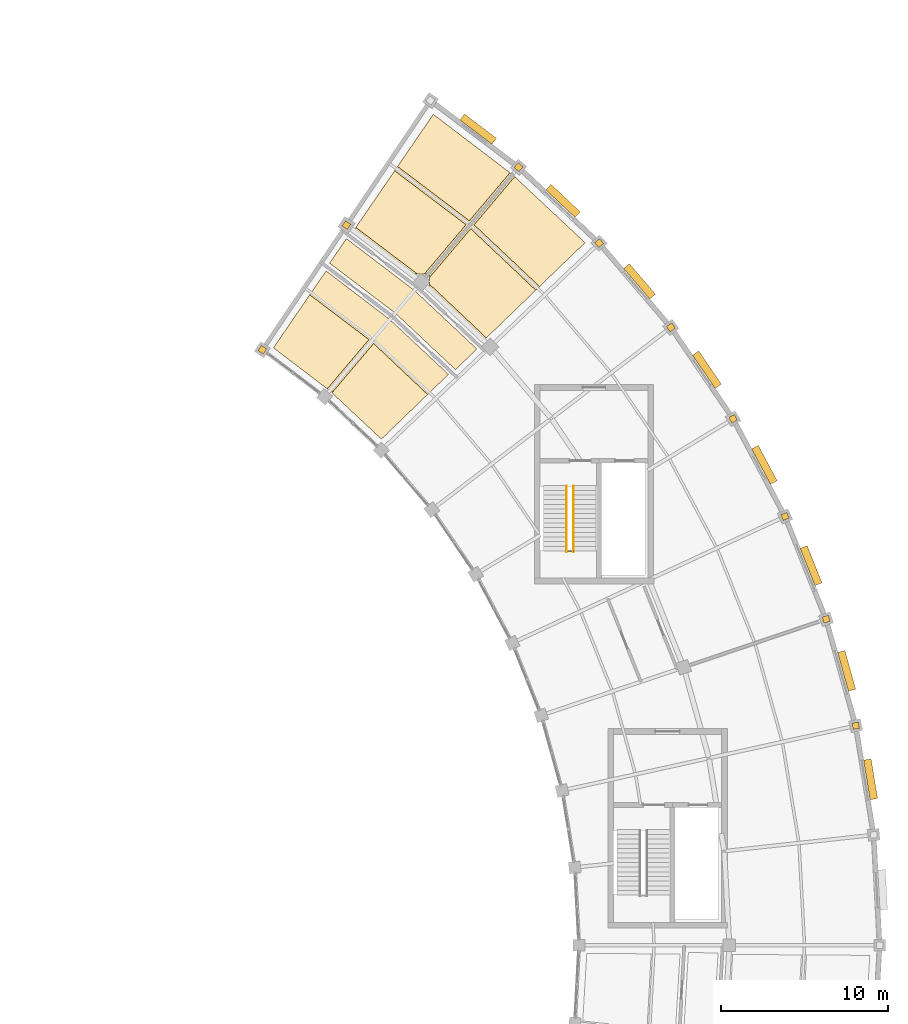
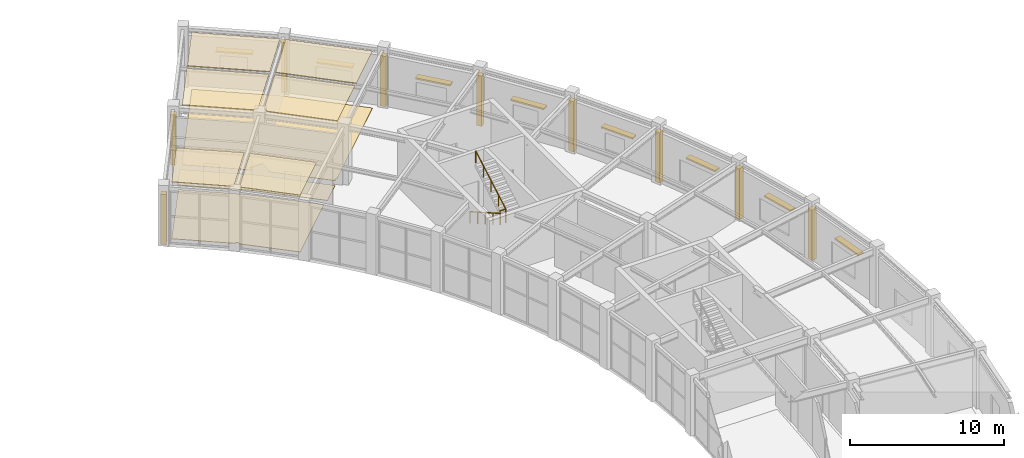
# One storey, part 99 of 100: 18 coverings, 8 shading devices, 3 railings.
"""IFC4 building model written with IfcOpenShell, lengths in metres."""

from ifc_helpers import new_model, si_unit, direction, frame, origin, origin_2d, place, context, subcontext, project, spatial, polyline, rectangle, circle, outline, extrude, material, layer, layer_set, type_object, element, save


model = new_model("IFC4")

# Units and contexts
model_context = context("Model", 3, precision=1e-05, world=origin(), true_north=direction((0.0, 1.0)))
body_context = subcontext(model_context, "Body", "Model", "MODEL_VIEW")
ifc_project = project(units=[si_unit("LENGTHUNIT", "METRE"), si_unit("AREAUNIT", "SQUARE_METRE"), si_unit("VOLUMEUNIT", "CUBIC_METRE"), si_unit("PLANEANGLEUNIT", "RADIAN"), si_unit("MASSUNIT", "GRAM", prefix="KILO")], contexts=[model_context])

# Site, building, storey
site_placement = place(None, origin())
site = spatial("IfcSite", under=ifc_project, at=site_placement, CompositionType="ELEMENT")
building_placement = place(site_placement, origin())
building = spatial("IfcBuilding", under=site, at=building_placement, Name="Tarnveldt Headland Concert Hall", CompositionType="ELEMENT")
storey_placement = place(building_placement, frame((0.0, 0.0, 4.800048828125)))
storey = spatial("IfcBuildingStorey", under=building, at=storey_placement, Name="L01", CompositionType="ELEMENT", Elevation=4.800048828125)

# Coverings
ifc_material_1 = material(Name="Micro-perforated mvule acoustic ceiling panel", Category="timber")
ifc_layer_1 = layer(ifc_material_1, 0.050048828125, Name="Micro-perforated mvule acoustic ceiling panel", Category="timber")
ifc_layer_set_1 = layer_set([ifc_layer_1], Name="Micro-perforated mvule acoustic ceiling panel")
covering_type_1 = type_object("IfcCoveringType", Name="CV-CEIL50", PredefinedType="CEILING", material=ifc_layer_set_1)
covering_1_placement = place(storey_placement, frame((0.0, 0.0, 4.489990234375)))
element("IfcCovering", 1, at=covering_1_placement, inside=storey, type_object=covering_type_1, Name="Acoustic mvule ceiling L01-38-230", PredefinedType="CEILING", context=body_context, shape_type="SweptSolid", body=[
    extrude(outline(polyline([(151.439208984375, 92.97412109375), (148.6689453125, 90.302734375), (145.71728515625, 93.068115234375), (145.71728515625, 93.078125), (148.207763671875, 96.022705078125), (151.439208984375, 92.97412109375)])), origin(), (0.0, 0.0, 1.0), 0.050048828125),
])
covering_2_placement = place(storey_placement, frame((0.0, 0.0, 4.489990234375)))
element("IfcCovering", 2, at=covering_2_placement, inside=storey, type_object=covering_type_1, Name="Acoustic mvule ceiling L01-38-231", PredefinedType="CEILING", context=body_context, shape_type="SweptSolid", body=[
    extrude(outline(polyline([(147.92529296875, 96.26171875), (145.43017578125, 93.311279296875), (142.208251953125, 95.766845703125), (144.38232421875, 98.942138671875), (147.92529296875, 96.26171875)])), origin(), (0.0, 0.0, 1.0), 0.050048828125),
])
ifc_layer_2 = layer(ifc_material_1, 0.06494140625, Name="Micro-perforated mvule acoustic ceiling panel", Category="timber")
ifc_layer_set_2 = layer_set([ifc_layer_2], Name="Micro-perforated mvule acoustic ceiling panel")
covering_type_2 = type_object("IfcCoveringType", Name="CV-CEIL65", PredefinedType="CEILING", material=ifc_layer_set_2)
covering_3_placement = place(storey_placement, frame((0.0, 0.0, 4.474853515625)))
element("IfcCovering", 3, at=covering_3_placement, inside=storey, type_object=covering_type_2, Name="Acoustic mvule ceiling L01-40-240", PredefinedType="CEILING", context=body_context, shape_type="SweptSolid", body=[
    extrude(outline(polyline([(153.9375, 103.37060546875), (149.640625, 106.62158203125), (151.778564453125, 109.743896484375), (156.368896484375, 106.24560546875), (153.9375, 103.37060546875)])), origin(), (0.0, 0.0, 1.0), 0.065185546875),
])
covering_4_placement = place(storey_placement, frame((0.0, 0.0, 4.474853515625)))
element("IfcCovering", 4, at=covering_4_placement, inside=storey, type_object=covering_type_2, Name="Acoustic mvule ceiling L01-40-241", PredefinedType="CEILING", context=body_context, shape_type="SweptSolid", body=[
    extrude(outline(polyline([(150.83251953125, 100.179443359375), (147.1416015625, 102.971923828125), (149.46533203125, 106.365478515625), (153.737060546875, 103.133544921875), (151.238525390625, 100.179443359375), (150.83251953125, 100.179443359375)])), origin(), (0.0, 0.0, 1.0), 0.065185546875),
])
covering_5_placement = place(storey_placement, frame((0.0, 0.0, 4.474853515625)))
element("IfcCovering", 5, at=covering_5_placement, inside=storey, type_object=covering_type_2, Name="Acoustic mvule ceiling L01-40-242", PredefinedType="CEILING", context=body_context, shape_type="SweptSolid", body=[
    extrude(outline(polyline([(156.651611328125, 106.006591796875), (160.86328125, 102.060546875), (158.139404296875, 99.43408203125), (154.22021484375, 103.131591796875), (156.651611328125, 106.006591796875)])), origin(), (0.0, 0.0, 1.0), 0.065185546875),
])
covering_6_placement = place(storey_placement, frame((0.0, 0.0, 4.474853515625)))
element("IfcCovering", 6, at=covering_6_placement, inside=storey, type_object=covering_type_2, Name="Acoustic mvule ceiling L01-40-243", PredefinedType="CEILING", context=body_context, shape_type="SweptSolid", body=[
    extrude(outline(polyline([(151.55419921875, 99.9794921875), (154.01953125, 102.89453125), (157.916015625, 99.21875), (154.955078125, 96.364013671875), (151.55419921875, 99.572509765625), (151.55419921875, 99.9794921875)])), origin(), (0.0, 0.0, 1.0), 0.065185546875),
])
ifc_material_2 = material(Name="Treated East African mvule hardwood", Category="wood")
ifc_layer_3 = layer(ifc_material_2, 0.028076171875, Name="Treated East African mvule hardwood", Category="wood")
ifc_layer_set_3 = layer_set([ifc_layer_3], Name="Treated East African mvule hardwood")
covering_type_3 = type_object("IfcCoveringType", Name="CV-FLOR28", PredefinedType="FLOORING", material=ifc_layer_set_3)
covering_7_placement = place(storey_placement, origin())
element("IfcCovering", 7, at=covering_7_placement, inside=storey, type_object=covering_type_3, Name="Architectural flooring L01-40-66", PredefinedType="FLOORING", context=body_context, shape_type="SweptSolid", body=[
    extrude(outline(polyline([(151.382080078125, 99.2294921875), (151.55419921875, 99.2294921875), (151.55419921875, 100.179443359375), (150.604248046875, 100.179443359375), (150.604248046875, 99.890869140625), (147.00341796875, 102.635009765625), (147.052978515625, 102.635009765625), (147.052978515625, 102.842529296875), (151.778564453125, 109.743896484375), (156.44091796875, 106.190673828125), (156.44091796875, 106.126220703125), (156.523681640625, 106.126220703125), (160.86328125, 102.060546875), (154.89501953125, 96.305908203125), (154.709716796875, 96.305908203125), (154.709716796875, 96.127197265625), (154.701416015625, 96.119384765625), (151.382080078125, 99.2294921875)])), origin(), (0.0, 0.0, 1.0), 0.02783203125),
])
ifc_material_3 = material(Name="Polished coral-aggregate cementitious terrazzo flooring", Category="concrete")
ifc_layer_4 = layer(ifc_material_3, 0.034912109375, Name="Polished coral-aggregate cementitious terrazzo flooring", Category="concrete")
ifc_layer_set_4 = layer_set([ifc_layer_4], Name="Polished coral-aggregate cementitious terrazzo flooring")
covering_type_4 = type_object("IfcCoveringType", Name="CV-FLOR35", PredefinedType="FLOORING", material=ifc_layer_set_4)
covering_8_placement = place(storey_placement, origin())
element("IfcCovering", 8, at=covering_8_placement, inside=storey, type_object=covering_type_4, Name="Architectural flooring L01-36-62", PredefinedType="FLOORING", context=body_context, shape_type="SweptSolid", body=[
    extrude(outline(polyline([(149.510498046875, 97.835205078125), (149.496337890625, 97.84716796875), (145.572021484375, 100.83251953125), (146.57470703125, 102.302490234375), (150.604248046875, 99.2373046875), (150.604248046875, 99.2294921875), (150.614501953125, 99.2294921875), (150.65283203125, 99.2001953125), (154.38916015625, 95.69384765625), (153.10595703125, 94.460693359375), (149.510498046875, 97.835205078125)])), origin(), (0.0, 0.0, 1.0), 0.034912109375),
])
covering_9_placement = place(storey_placement, origin())
element("IfcCovering", 9, at=covering_9_placement, inside=storey, type_object=covering_type_4, Name="Architectural flooring L01-38-64", PredefinedType="FLOORING", context=body_context, shape_type="SweptSolid", body=[
    extrude(outline(polyline([(145.71728515625, 93.068115234375), (145.71728515625, 93.282470703125), (145.468017578125, 93.282470703125), (142.208251953125, 95.766845703125), (145.360595703125, 100.37060546875), (149.180419921875, 97.45947265625), (152.685546875, 94.175537109375), (148.6689453125, 90.302734375), (145.71728515625, 93.068115234375)])), origin(), (0.0, 0.0, 1.0), 0.034912109375),
])
ifc_material_4 = material(Name="Coral-toned precast concrete C40/50", Category="concrete")
ifc_layer_5 = layer(ifc_material_4, 0.360107421875, Name="Coral-toned precast concrete C40/50", Category="concrete")
ifc_layer_set_5 = layer_set([ifc_layer_5], Name="Coral-toned precast concrete C40/50")
covering_type_5 = type_object("IfcCoveringType", Name="CV-JNT360", PredefinedType="CLADDING", material=ifc_layer_set_5)
for number, where, z_axis, x_axis, name in (
    (10, (141.54541015625, 95.648681640625, 0.0), (0.0, 0.0, 1.0), (0.559192903471, 0.829037572555, 0.0), "Precast facade joint closure pilaster L01-226"),
    (11, (146.577880859375, 103.110107421875, 0.0), (0.0, 0.0, 1.0), (0.559192903471, 0.829037572555, 0.0), "Precast facade joint closure pilaster L01-227"),
    (12, (156.89111328125, 106.576416015625, 0.0), (0.0, 0.0, 1.0), (0.727413564262, -0.686199319824, 0.0), "Precast facade joint closure pilaster L01-231"),
    (13, (161.70703125, 102.032470703125, 0.0), (0.0, 0.0, 1.0), (0.648651397111, -0.761085648942, 0.0), "Precast facade joint closure pilaster L01-233"),
    (14, (166.00244140625, 96.993408203125, 0.0), (0.0, 0.0, 1.0), (0.562372049186, -0.826884319778, 0.0), "Precast facade joint closure pilaster L01-235"),
    (15, (169.726318359375, 91.518798828125, 0.0), (0.0, 0.0, 1.0), (0.469471562786, -0.882947592859, 0.0), "Precast facade joint closure pilaster L01-237"),
    (16, (172.834716796875, 85.672607421875, 0.0), (0.0, 0.0, 1.0), (0.371043710237, -0.928615402141, 0.0), "Precast facade joint closure pilaster L01-239"),
    (17, (175.291259765625, 79.523681640625, 0.0), (0.0, 0.0, 1.0), (0.268079200424, -0.963396876837, 0.0), "Precast facade joint closure pilaster L01-241"),
    (18, (177.06689453125, 73.14501953125, 0.0), (0.0, 0.0, 1.0), (0.162120515372, -0.986770965572, 0.0), "Precast facade joint closure pilaster L01-243"),
):
    element("IfcCovering", number, at=place(storey_placement, frame(where, z_axis=z_axis, x_axis=x_axis)), inside=storey, type_object=covering_type_5, Name=name, PredefinedType="CLADDING", context=body_context, shape_type="SweptSolid", body=[
        extrude(rectangle(XDim=0.3798828125, YDim=0.3798828125, at=origin_2d()), origin(), (0.0, 0.0, 1.0), 3.97802734375),
    ])

# Railings
ifc_material_5 = material(Name="Marine stainless steel", Category="steel")
ifc_layer_6 = layer(ifc_material_5, 0.06005859375, Name="Marine stainless steel", Category="steel")
ifc_layer_set_6 = layer_set([ifc_layer_6], Name="Marine stainless steel")
railing_type_1 = type_object("IfcRailingType", Name="RL-GRD110", PredefinedType="GUARDRAIL", material=ifc_layer_set_6)
railing_1_placement = place(storey_placement, frame((159.75, 83.60009765625, 2.39990234375)))
element("IfcRailing", 19, at=railing_1_placement, inside=storey, type_object=railing_type_1, Name="GUARD STR-C3-L01 half-landing well", PredefinedType="GUARDRAIL", context=body_context, shape_type="SweptSolid", body=[
    extrude(circle(Radius=0.02392578125, at=origin_2d()), frame((0.0, 0.0, 1.076171875), z_axis=(1.0, 0.0, 0.0), x_axis=(0.0, 1.0, 0.0)), (0.0, 0.0, 1.0), 0.419921875),
    extrude(circle(Radius=0.02099609375, at=origin_2d()), origin(), (0.0, 0.0, 1.0), 1.052001953125),
    extrude(circle(Radius=0.02099609375, at=origin_2d()), frame((0.419921875, 0.0, 0.0)), (0.0, 0.0, 1.0), 1.052001953125),
])
ifc_layer_7 = layer(ifc_material_5, 0.048095703125, Name="Marine stainless steel", Category="steel")
ifc_layer_set_7 = layer_set([ifc_layer_7], Name="Marine stainless steel")
railing_type_2 = type_object("IfcRailingType", Name="RL-HND092", PredefinedType="HANDRAIL", material=ifc_layer_set_7)
railing_2_placement = place(storey_placement, frame((159.75, 87.47998046875, 0.159912109375)))
element("IfcRailing", 20, at=railing_2_placement, inside=storey, type_object=railing_type_2, Name="HANDRAIL STR-C3-L01 flight 1", PredefinedType="HANDRAIL", context=body_context, shape_type="SweptSolid", body=[
    extrude(circle(Radius=0.02392578125, at=origin_2d()), frame((0.0, 0.0, 0.89599609375), z_axis=(0.0, -0.868239814368, 0.496144761885), x_axis=(1.0, 0.0, 0.0)), (0.0, 0.0, 1.0), 4.514892578125),
    extrude(circle(Radius=0.02099609375, at=origin_2d()), origin(), (0.0, 0.0, 1.0), 0.871826171875),
    extrude(circle(Radius=0.02099609375, at=origin_2d()), frame((0.0, -0.97998046875, 0.56005859375)), (0.0, 0.0, 1.0), 0.871826171875),
    extrude(circle(Radius=0.02099609375, at=origin_2d()), frame((0.0, -1.9599609375, 1.1201171875)), (0.0, 0.0, 1.0), 0.871826171875),
    extrude(circle(Radius=0.02099609375, at=origin_2d()), frame((0.0, -2.93994140625, 1.679931640625)), (0.0, 0.0, 1.0), 0.871826171875),
    extrude(circle(Radius=0.02099609375, at=origin_2d()), frame((0.0, -3.919921875, 2.239990234375)), (0.0, 0.0, 1.0), 0.871826171875),
])
railing_3_placement = place(storey_placement, frame((160.169921875, 83.56005859375, 2.56005859375)))
element("IfcRailing", 21, at=railing_3_placement, inside=storey, type_object=railing_type_2, Name="HANDRAIL STR-C3-L01 flight 2", PredefinedType="HANDRAIL", context=body_context, shape_type="SweptSolid", body=[
    extrude(circle(Radius=0.02392578125, at=origin_2d()), frame((0.0, 0.0, 0.89599609375), z_axis=(0.0, 0.868239814368, 0.496144761885), x_axis=(-1.0, 0.0, 0.0)), (0.0, 0.0, 1.0), 4.514892578125),
    extrude(circle(Radius=0.02099609375, at=origin_2d()), origin(), (0.0, 0.0, 1.0), 0.871826171875),
    extrude(circle(Radius=0.02099609375, at=origin_2d()), frame((0.0, 0.97998046875, 0.56005859375)), (0.0, 0.0, 1.0), 0.871826171875),
    extrude(circle(Radius=0.02099609375, at=origin_2d()), frame((0.0, 1.9599609375, 1.1201171875)), (0.0, 0.0, 1.0), 0.871826171875),
    extrude(circle(Radius=0.02099609375, at=origin_2d()), frame((0.0, 2.93994140625, 1.679931640625)), (0.0, 0.0, 1.0), 0.871826171875),
    extrude(circle(Radius=0.02099609375, at=origin_2d()), frame((0.0, 3.919921875, 2.239990234375)), (0.0, 0.0, 1.0), 0.871826171875),
])

# Shading devices
ifc_material_6 = material(Name="Terracotta-anodised aluminium EN AW-6063-T6", Category="masonry")
shading_device_type = type_object("IfcShadingDeviceType", Name="SD-LVR450", PredefinedType="USERDEFINED", material=ifc_material_6)
for number, where, z_axis, x_axis, name in (
    (22, (177.95654296875, 69.936279296875, 2.56982421875), (0.0, 0.0, 1.0), (0.986770965572, 0.162120515372, 0.0), "Crescent coastal solar louvre L01-11"),
    (23, (176.5234375, 76.430419921875, 2.56982421875), (0.0, 0.0, 1.0), (0.963350073517, 0.268247340815, 0.0), "Crescent coastal solar louvre L01-12"),
    (24, (174.39501953125, 82.730712890625, 2.56982421875), (0.0, 0.0, 1.0), (0.928615402141, 0.371043710237, 0.0), "Crescent coastal solar louvre L01-13"),
    (25, (171.59619140625, 88.763427734375, 2.419921875), (0.0, 0.0, 1.0), (0.882947592859, 0.469471562786, 0.0), "Crescent coastal solar louvre L01-14"),
    (26, (168.159912109375, 94.457275390625, 2.419921875), (0.0, 0.0, 1.0), (0.826884319778, 0.562372049186, 0.0), "Crescent coastal solar louvre L01-15"),
    (27, (164.126708984375, 99.744873046875, 2.419921875), (0.0, 0.0, 1.0), (0.761085648942, 0.648651397111, 0.0), "Crescent coastal solar louvre L01-16"),
    (28, (159.54443359375, 104.564453125, 2.419921875), (0.0, 0.0, 1.0), (0.686199319824, 0.727413564262, 0.0), "Crescent coastal solar louvre L01-17"),
    (29, (154.466552734375, 108.85888671875, 2.56982421875), (0.0, 0.0, 1.0), (0.603347183213, 0.797478637023, 0.0), "Crescent coastal solar louvre L01-18"),
):
    element("IfcShadingDevice", number, at=place(storey_placement, frame(where, z_axis=z_axis, x_axis=x_axis)), inside=storey, type_object=shading_device_type, Name=name, ObjectType="LOUVRE", PredefinedType="USERDEFINED", context=body_context, shape_type="SweptSolid", body=[
        extrude(rectangle(XDim=0.449951171875, YDim=2.39990234375, at=origin_2d()), origin(), (0.0, 0.0, 1.0), 0.1201171875),
    ])

save(model, "model.ifc")
